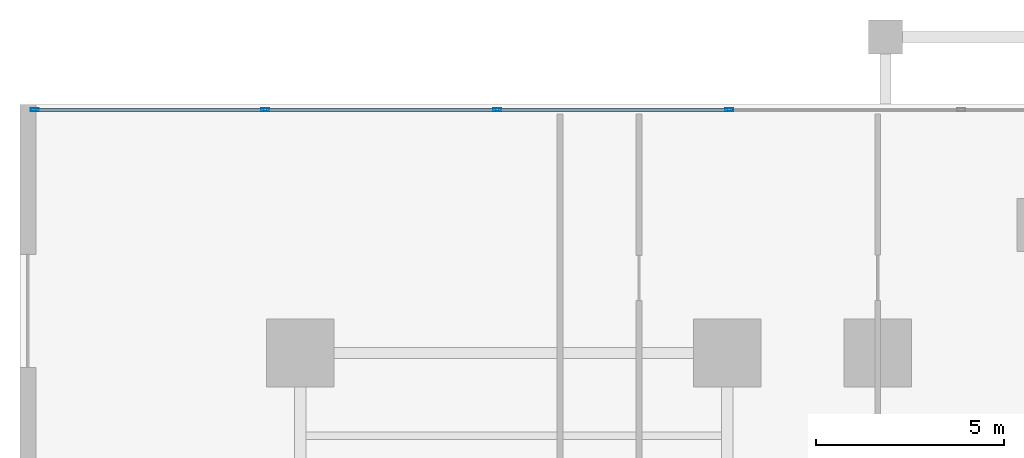
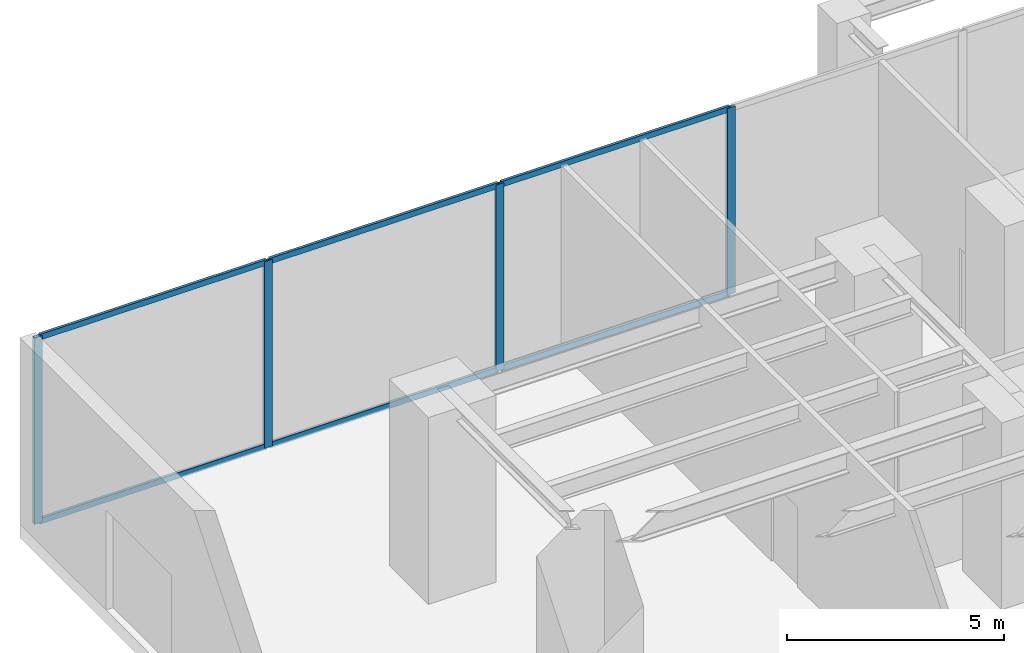
# One storey, part 3 of 17: 10 members, 1 element without a shape of its own.
"""IFC4 building model written with IfcOpenShell, lengths in metres."""

from ifc_helpers import new_model, si_unit, direction, frame, origin, origin_with_axes, origin_2d, place, context, subcontext, project, spatial, hollow_rectangle, extrude, source, transform, mapped, material, layer, layer_set, material_profile, profile_set, type_object, element, aggregate, save


model = new_model("IFC4")

# Units and contexts
model_context = context("Model", 3, precision=1e-05, world=origin(), true_north=direction((0.0, 1.0)))
body_context = subcontext(model_context, "Body", "Model", "MODEL_VIEW")
ifc_project = project(units=[si_unit("LENGTHUNIT", "METRE"), si_unit("AREAUNIT", "SQUARE_METRE"), si_unit("VOLUMEUNIT", "CUBIC_METRE"), si_unit("PLANEANGLEUNIT", "RADIAN"), si_unit("MASSUNIT", "GRAM", prefix="KILO")], contexts=[model_context])

# Site, building, storey
site_placement = place(None, origin())
site = spatial("IfcSite", under=ifc_project, at=site_placement, CompositionType="ELEMENT")
building_placement = place(site_placement, origin())
building = spatial("IfcBuilding", under=site, at=building_placement, Name="Kolvaren Waterfront Exchange", CompositionType="ELEMENT")
storey_placement = place(building_placement, origin())
storey = spatial("IfcBuildingStorey", under=building, at=storey_placement, Name="L01", CompositionType="ELEMENT", Elevation=0.0)

# Curtain wall, members
ifc_material_1 = material(Name="Anodised bronze aluminium 6063-T6", Category="aluminium")
ifc_layer = layer(ifc_material_1, 0.219970703125, Name="Anodised bronze aluminium 6063-T6")
ifc_layer_set = layer_set([ifc_layer], Name="Anodised bronze aluminium 6063-T6")
curtain_wall_type = type_object("IfcCurtainWallType", Name="ARC-CW-SYS4", PredefinedType="USERDEFINED", material=ifc_layer_set)
curtain_wall_placement = place(storey_placement, origin())
curtain_wall = element("IfcCurtainWall", 1, at=curtain_wall_placement, inside=storey, type_object=curtain_wall_type, Name="L01 stick curtain wall CW4 (CW-L01-N2)", ObjectType="STICK CURTAIN WALL", PredefinedType="USERDEFINED")
ifc_material_2 = material(Name="Anodised aluminium 6063-T6", Category="aluminium")
ifc_material_profile_1 = material_profile(ifc_material_2, hollow_rectangle(XDim=0.080078125, YDim=0.219970703125, WallThickness=0.0048828125, at=origin_2d()), Name="ALU-MUL-220x80x5")
ifc_profile_set_1 = profile_set([ifc_material_profile_1], Name="Anodised aluminium 6063-T6")
member_type_1 = type_object("IfcMemberType", Name="ARC-CWM-220", PredefinedType="MULLION", material=ifc_profile_set_1)
shared_shape_1 = source(origin_with_axes(), body_context, "Body", "SweptSolid", [
    extrude(hollow_rectangle(XDim=0.080078125, YDim=0.219970703125, WallThickness=0.0048828125, at=origin_2d()), origin(), (0.0, 0.0, 1.0), 5.260009765625),
])
member_1_placement = place(storey_placement, frame((18.85009765625, 51.06005859375, 0.0), z_axis=(0.0, 0.0, 1.0), x_axis=(0.0, -1.0, 0.0)))
member_1 = element("IfcMember", 2, at=member_1_placement, type_object=member_type_1, Name="CW4 mullion 4", PredefinedType="MULLION", context=body_context, shape_type="MappedRepresentation", body=[
    mapped(shared_shape_1, transform((0.0, 0.0, 0.0), x_axis=(1.0, 0.0, 0.0), y_axis=(0.0, 1.0, 0.0), z_axis=(0.0, 0.0, 1.0), scale=1.0)),
])
member_2_placement = place(storey_placement, frame((12.683349609375, 51.06005859375, 0.0), z_axis=(0.0, 0.0, 1.0), x_axis=(0.0, -1.0, 0.0)))
member_2 = element("IfcMember", 3, at=member_2_placement, type_object=member_type_1, Name="CW4 mullion 5", PredefinedType="MULLION", context=body_context, shape_type="MappedRepresentation", body=[
    mapped(shared_shape_1, transform((0.0, 0.0, 0.0), x_axis=(1.0, 0.0, 0.0), y_axis=(0.0, 1.0, 0.0), z_axis=(0.0, 0.0, 1.0), scale=1.0)),
])
member_3_placement = place(storey_placement, frame((6.5166015625, 51.06005859375, 0.0), z_axis=(0.0, 0.0, 1.0), x_axis=(0.0, -1.0, 0.0)))
member_3 = element("IfcMember", 4, at=member_3_placement, type_object=member_type_1, Name="CW4 mullion 6", PredefinedType="MULLION", context=body_context, shape_type="MappedRepresentation", body=[
    mapped(shared_shape_1, transform((0.0, 0.0, 0.0), x_axis=(1.0, 0.0, 0.0), y_axis=(0.0, 1.0, 0.0), z_axis=(0.0, 0.0, 1.0), scale=1.0)),
])
member_4_placement = place(storey_placement, frame((0.389892578125, 51.06005859375, 0.0), z_axis=(0.0, 0.0, 1.0), x_axis=(0.0, -1.0, 0.0)))
member_4 = element("IfcMember", 5, at=member_4_placement, type_object=member_type_1, Name="CW4 mullion 7", PredefinedType="MULLION", context=body_context, shape_type="MappedRepresentation", body=[
    mapped(shared_shape_1, transform((0.0, 0.0, 0.0), x_axis=(1.0, 0.0, 0.0), y_axis=(0.0, 1.0, 0.0), z_axis=(0.0, 0.0, 1.0), scale=1.0)),
])
ifc_material_profile_2 = material_profile(ifc_material_2, hollow_rectangle(XDim=0.074951171875, YDim=0.159912109375, WallThickness=0.00439453125, at=origin_2d()), Name="ALU-TRN-160x75x4.5")
ifc_profile_set_2 = profile_set([ifc_material_profile_2], Name="Anodised aluminium 6063-T6")
member_type_2 = type_object("IfcMemberType", Name="ARC-CWT-160", PredefinedType="USERDEFINED", material=ifc_profile_set_2)
shared_shape_2 = source(origin_with_axes(), body_context, "Body", "SweptSolid", [
    extrude(hollow_rectangle(XDim=0.074951171875, YDim=0.159912109375, WallThickness=0.00439453125, at=origin_2d()), origin(), (0.0, 0.0, 1.0), 6.046630859375),
])
member_5_placement = place(storey_placement, frame((6.4765625, 51.06005859375, 0.03759765625), z_axis=(-1.0, 0.0, 0.0), x_axis=(0.0, -1.0, 0.0)))
member_5 = element("IfcMember", 6, at=member_5_placement, type_object=member_type_2, Name="CW4 transom 6.1", ObjectType="TRANSOM", PredefinedType="USERDEFINED", context=body_context, shape_type="MappedRepresentation", body=[
    mapped(shared_shape_2, transform((0.0, 0.0, 0.0), x_axis=(1.0, 0.0, 0.0), y_axis=(0.0, 1.0, 0.0), z_axis=(0.0, 0.0, 1.0), scale=1.0)),
])
member_6_placement = place(storey_placement, frame((6.4765625, 51.06005859375, 5.222412109375), z_axis=(-1.0, 0.0, 0.0), x_axis=(0.0, -1.0, 0.0)))
member_6 = element("IfcMember", 7, at=member_6_placement, type_object=member_type_2, Name="CW4 transom 6.2", ObjectType="TRANSOM", PredefinedType="USERDEFINED", context=body_context, shape_type="MappedRepresentation", body=[
    mapped(shared_shape_2, transform((0.0, 0.0, 0.0), x_axis=(1.0, 0.0, 0.0), y_axis=(0.0, 1.0, 0.0), z_axis=(0.0, 0.0, 1.0), scale=1.0)),
])
shared_shape_3 = source(origin_with_axes(), body_context, "Body", "SweptSolid", [
    extrude(hollow_rectangle(XDim=0.074951171875, YDim=0.159912109375, WallThickness=0.00439453125, at=origin_2d()), origin(), (0.0, 0.0, 1.0), 6.086669921875),
])
member_7_placement = place(storey_placement, frame((18.81005859375, 51.06005859375, 0.03759765625), z_axis=(-1.0, 0.0, 0.0), x_axis=(0.0, -1.0, 0.0)))
member_7 = element("IfcMember", 8, at=member_7_placement, type_object=member_type_2, Name="CW4 transom 4.1", ObjectType="TRANSOM", PredefinedType="USERDEFINED", context=body_context, shape_type="MappedRepresentation", body=[
    mapped(shared_shape_3, transform((0.0, 0.0, 0.0), x_axis=(1.0, 0.0, 0.0), y_axis=(0.0, 1.0, 0.0), z_axis=(0.0, 0.0, 1.0), scale=1.0)),
])
member_8_placement = place(storey_placement, frame((18.81005859375, 51.06005859375, 5.222412109375), z_axis=(-1.0, 0.0, 0.0), x_axis=(0.0, -1.0, 0.0)))
member_8 = element("IfcMember", 9, at=member_8_placement, type_object=member_type_2, Name="CW4 transom 4.2", ObjectType="TRANSOM", PredefinedType="USERDEFINED", context=body_context, shape_type="MappedRepresentation", body=[
    mapped(shared_shape_3, transform((0.0, 0.0, 0.0), x_axis=(1.0, 0.0, 0.0), y_axis=(0.0, 1.0, 0.0), z_axis=(0.0, 0.0, 1.0), scale=1.0)),
])
member_9_placement = place(storey_placement, frame((12.643310546875, 51.06005859375, 0.03759765625), z_axis=(-1.0, 0.0, 0.0), x_axis=(0.0, -1.0, 0.0)))
member_9 = element("IfcMember", 10, at=member_9_placement, type_object=member_type_2, Name="CW4 transom 5.1", ObjectType="TRANSOM", PredefinedType="USERDEFINED", context=body_context, shape_type="MappedRepresentation", body=[
    mapped(shared_shape_3, transform((0.0, 0.0, 0.0), x_axis=(1.0, 0.0, 0.0), y_axis=(0.0, 1.0, 0.0), z_axis=(0.0, 0.0, 1.0), scale=1.0)),
])
member_10_placement = place(storey_placement, frame((12.643310546875, 51.06005859375, 5.222412109375), z_axis=(-1.0, 0.0, 0.0), x_axis=(0.0, -1.0, 0.0)))
member_10 = element("IfcMember", 11, at=member_10_placement, type_object=member_type_2, Name="CW4 transom 5.2", ObjectType="TRANSOM", PredefinedType="USERDEFINED", context=body_context, shape_type="MappedRepresentation", body=[
    mapped(shared_shape_3, transform((0.0, 0.0, 0.0), x_axis=(1.0, 0.0, 0.0), y_axis=(0.0, 1.0, 0.0), z_axis=(0.0, 0.0, 1.0), scale=1.0)),
])
aggregate(curtain_wall, [member_1, member_2, member_3, member_4, member_7, member_8, member_9, member_10, member_5, member_6])

save(model, "model.ifc")
